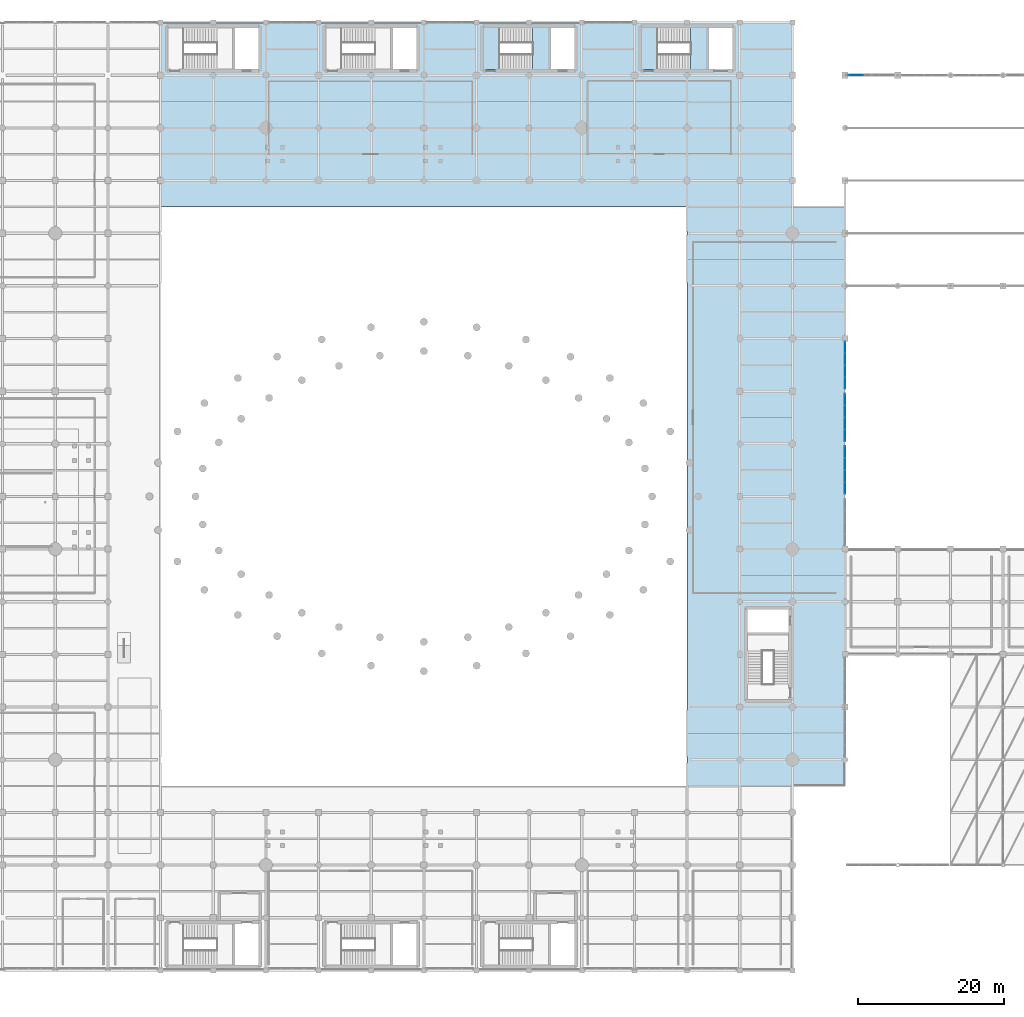
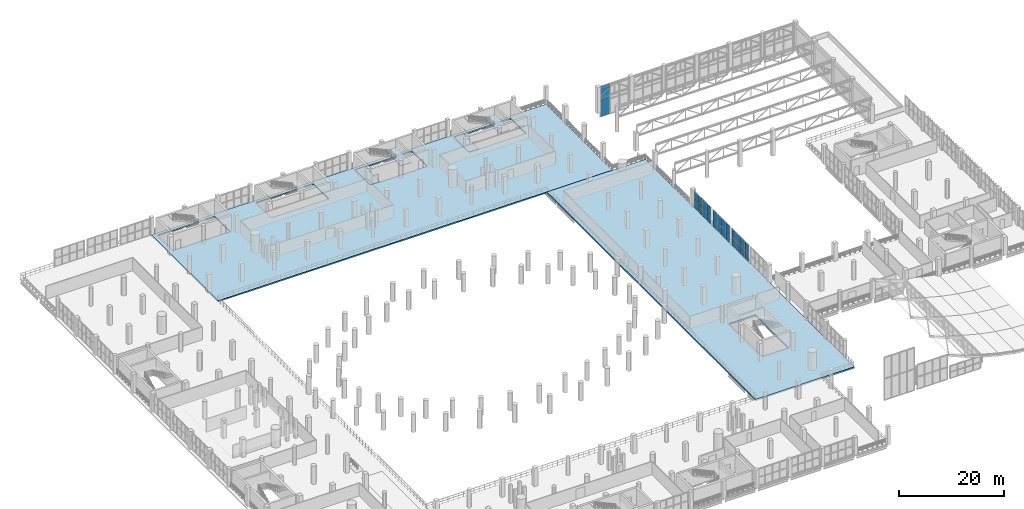
# One storey, part 124 of 153: 26 plates, 6 slabs, 6 elements without a shape of their own.
"""IFC4 building model written with IfcOpenShell, lengths in metres."""

from ifc_helpers import new_model, si_unit, direction, frame, origin, origin_2d, place, context, subcontext, project, spatial, polyline, rectangle, outline, extrude, material, layer, layer_set, type_object, element, aggregate, save


model = new_model("IFC4")

# Units and contexts
model_context = context("Model", 3, precision=1e-05, world=origin(), true_north=direction((0.0, 1.0)))
body_context = subcontext(model_context, "Body", "Model", "MODEL_VIEW")
ifc_project = project(units=[si_unit("LENGTHUNIT", "METRE"), si_unit("AREAUNIT", "SQUARE_METRE"), si_unit("VOLUMEUNIT", "CUBIC_METRE"), si_unit("PLANEANGLEUNIT", "RADIAN"), si_unit("MASSUNIT", "GRAM", prefix="KILO")], contexts=[model_context])

# Site, building, storey
site_placement = place(None, origin())
site = spatial("IfcSite", under=ifc_project, at=site_placement, CompositionType="ELEMENT")
building_placement = place(site_placement, origin())
building = spatial("IfcBuilding", under=site, at=building_placement, Name="Qandorah Velis Arena", CompositionType="ELEMENT")
storey_placement = place(building_placement, frame((0.0, 0.0, 5.39990234375)))
storey = spatial("IfcBuildingStorey", under=building, at=storey_placement, Name="L01", CompositionType="ELEMENT", Elevation=5.39990234375)

# Curtain wall, plates
ifc_material_1 = material(Name="Solar-control low-E double glazing", Category="glass")
curtain_wall_type_1 = type_object("IfcCurtainWallType", Name="ARC-CW-SYS15", PredefinedType="USERDEFINED", material=ifc_material_1)
curtain_wall_1_placement = place(storey_placement, origin())
curtain_wall_1 = element("IfcCurtainWall", 1, at=curtain_wall_1_placement, inside=storey, type_object=curtain_wall_type_1, Name="Unitised curtain wall L01-159", ObjectType="UNITISED CURTAIN WALL", PredefinedType="USERDEFINED")
ifc_layer_1 = layer(ifc_material_1, 0.02392578125)
ifc_layer_set_1 = layer_set([ifc_layer_1], Name="Solar-control low-E double glazing")
plate_type_1 = type_object("IfcPlateType", Name="ARC-CWP-GLZ24", PredefinedType="CURTAIN_PANEL", material=ifc_layer_set_1)
plate_1_placement = place(storey_placement, frame((123.902587890625, 122.39990234375, -1.25), z_axis=(0.0, 0.0, 1.0), x_axis=(1.0, 0.0, 0.0)))
plate_1 = element("IfcPlate", 2, at=plate_1_placement, type_object=plate_type_1, Name="CW15 panel 1.1", PredefinedType="CURTAIN_PANEL", context=body_context, shape_type="SweptSolid", body=[
    extrude(rectangle(XDim=2.0048828125, YDim=0.02392578125, at=origin_2d()), origin(), (0.0, 0.0, 1.0), 3.469970703125),
])
plate_2_placement = place(storey_placement, frame((123.902587890625, 122.39990234375, 2.26025390625), z_axis=(0.0, 0.0, 1.0), x_axis=(1.0, 0.0, 0.0)))
plate_2 = element("IfcPlate", 3, at=plate_2_placement, type_object=plate_type_1, Name="CW15 panel 1.2", PredefinedType="CURTAIN_PANEL", context=body_context, shape_type="SweptSolid", body=[
    extrude(rectangle(XDim=2.0048828125, YDim=0.02392578125, at=origin_2d()), origin(), (0.0, 0.0, 1.0), 3.469970703125),
])
aggregate(curtain_wall_1, [plate_1, plate_2])

curtain_wall_type_2 = type_object("IfcCurtainWallType", Name="ARC-CW-SYS12", PredefinedType="USERDEFINED", material=ifc_material_1)
curtain_wall_2_placement = place(storey_placement, origin())
curtain_wall_2 = element("IfcCurtainWall", 4, at=curtain_wall_2_placement, inside=storey, type_object=curtain_wall_type_2, Name="Unitised curtain wall L01-108", ObjectType="UNITISED CURTAIN WALL", PredefinedType="USERDEFINED")
ifc_layer_2 = layer(ifc_material_1, 0.028076171875)
ifc_layer_set_2 = layer_set([ifc_layer_2], Name="Solar-control low-E double glazing")
plate_type_2 = type_object("IfcPlateType", Name="ARC-CWP-GLZ28", PredefinedType="CURTAIN_PANEL", material=ifc_layer_set_2)
plate_3_placement = place(storey_placement, frame((122.39990234375, 80.3232421875, 0.045166015625), z_axis=(0.0, 0.0, 1.0), x_axis=(0.0, 1.0, 0.0)))
plate_3 = element("IfcPlate", 5, at=plate_3_placement, type_object=plate_type_2, Name="CW12 panel 1.1", PredefinedType="CURTAIN_PANEL", context=body_context, shape_type="SweptSolid", body=[
    extrude(rectangle(XDim=1.55615234375, YDim=0.028076171875, at=origin_2d()), origin(), (0.0, 0.0, 1.0), 1.8974609375),
])
plate_4_placement = place(storey_placement, frame((122.39990234375, 80.3232421875, 1.9775390625), z_axis=(0.0, 0.0, 1.0), x_axis=(0.0, 1.0, 0.0)))
plate_4 = element("IfcPlate", 6, at=plate_4_placement, type_object=plate_type_2, Name="CW12 panel 1.2", PredefinedType="CURTAIN_PANEL", context=body_context, shape_type="SweptSolid", body=[
    extrude(rectangle(XDim=1.55615234375, YDim=0.028076171875, at=origin_2d()), origin(), (0.0, 0.0, 1.0), 1.8974609375),
])
plate_5_placement = place(storey_placement, frame((122.39990234375, 81.92822265625, 0.045166015625), z_axis=(0.0, 0.0, 1.0), x_axis=(0.0, 1.0, 0.0)))
plate_5 = element("IfcPlate", 7, at=plate_5_placement, type_object=plate_type_2, Name="CW12 panel 2.1", PredefinedType="CURTAIN_PANEL", context=body_context, shape_type="SweptSolid", body=[
    extrude(rectangle(XDim=1.583740234375, YDim=0.028076171875, at=origin_2d()), origin(), (0.0, 0.0, 1.0), 1.8974609375),
])
plate_6_placement = place(storey_placement, frame((122.39990234375, 81.92822265625, 1.9775390625), z_axis=(0.0, 0.0, 1.0), x_axis=(0.0, 1.0, 0.0)))
plate_6 = element("IfcPlate", 8, at=plate_6_placement, type_object=plate_type_2, Name="CW12 panel 2.2", PredefinedType="CURTAIN_PANEL", context=body_context, shape_type="SweptSolid", body=[
    extrude(rectangle(XDim=1.583740234375, YDim=0.028076171875, at=origin_2d()), origin(), (0.0, 0.0, 1.0), 1.8974609375),
])
plate_7_placement = place(storey_placement, frame((122.39990234375, 83.546875, 0.045166015625), z_axis=(0.0, 0.0, 1.0), x_axis=(0.0, 1.0, 0.0)))
plate_7 = element("IfcPlate", 9, at=plate_7_placement, type_object=plate_type_2, Name="CW12 panel 3.1", PredefinedType="CURTAIN_PANEL", context=body_context, shape_type="SweptSolid", body=[
    extrude(rectangle(XDim=1.583740234375, YDim=0.028076171875, at=origin_2d()), origin(), (0.0, 0.0, 1.0), 1.8974609375),
])
plate_8_placement = place(storey_placement, frame((122.39990234375, 83.546875, 1.9775390625), z_axis=(0.0, 0.0, 1.0), x_axis=(0.0, 1.0, 0.0)))
plate_8 = element("IfcPlate", 10, at=plate_8_placement, type_object=plate_type_2, Name="CW12 panel 3.2", PredefinedType="CURTAIN_PANEL", context=body_context, shape_type="SweptSolid", body=[
    extrude(rectangle(XDim=1.583740234375, YDim=0.028076171875, at=origin_2d()), origin(), (0.0, 0.0, 1.0), 1.8974609375),
])
plate_9_placement = place(storey_placement, frame((122.39990234375, 85.15185546875, 0.045166015625), z_axis=(0.0, 0.0, 1.0), x_axis=(0.0, 1.0, 0.0)))
plate_9 = element("IfcPlate", 11, at=plate_9_placement, type_object=plate_type_2, Name="CW12 panel 4.1", PredefinedType="CURTAIN_PANEL", context=body_context, shape_type="SweptSolid", body=[
    extrude(rectangle(XDim=1.55615234375, YDim=0.028076171875, at=origin_2d()), origin(), (0.0, 0.0, 1.0), 1.8974609375),
])
plate_10_placement = place(storey_placement, frame((122.39990234375, 85.15185546875, 1.9775390625), z_axis=(0.0, 0.0, 1.0), x_axis=(0.0, 1.0, 0.0)))
plate_10 = element("IfcPlate", 12, at=plate_10_placement, type_object=plate_type_2, Name="CW12 panel 4.2", PredefinedType="CURTAIN_PANEL", context=body_context, shape_type="SweptSolid", body=[
    extrude(rectangle(XDim=1.55615234375, YDim=0.028076171875, at=origin_2d()), origin(), (0.0, 0.0, 1.0), 1.8974609375),
])
aggregate(curtain_wall_2, [plate_3, plate_4, plate_5, plate_6, plate_7, plate_8, plate_9, plate_10])

curtain_wall_type_3 = type_object("IfcCurtainWallType", Name="ARC-CW-SYS11", PredefinedType="USERDEFINED", material=ifc_material_1)
curtain_wall_3_placement = place(storey_placement, origin())
curtain_wall_3 = element("IfcCurtainWall", 13, at=curtain_wall_3_placement, inside=storey, type_object=curtain_wall_type_3, Name="Unitised curtain wall L01-107", ObjectType="UNITISED CURTAIN WALL", PredefinedType="USERDEFINED")
ifc_layer_3 = layer(ifc_material_1, 0.030029296875)
ifc_layer_set_3 = layer_set([ifc_layer_3], Name="Solar-control low-E double glazing")
plate_type_3 = type_object("IfcPlateType", Name="ARC-CWP-GLZ30", PredefinedType="CURTAIN_PANEL", material=ifc_layer_set_3)
plate_11_placement = place(storey_placement, frame((122.39990234375, 73.139892578125, 0.05029296875), z_axis=(0.0, 0.0, 1.0), x_axis=(0.0, 1.0, 0.0)))
plate_11 = element("IfcPlate", 14, at=plate_11_placement, type_object=plate_type_3, Name="CW11 panel 1.1", PredefinedType="CURTAIN_PANEL", context=body_context, shape_type="SweptSolid", body=[
    extrude(rectangle(XDim=1.580078125, YDim=0.030029296875, at=origin_2d()), origin(), (0.0, 0.0, 1.0), 1.889892578125),
])
plate_12_placement = place(storey_placement, frame((122.39990234375, 73.139892578125, 1.97998046875), z_axis=(0.0, 0.0, 1.0), x_axis=(0.0, 1.0, 0.0)))
plate_12 = element("IfcPlate", 15, at=plate_12_placement, type_object=plate_type_3, Name="CW11 panel 1.2", PredefinedType="CURTAIN_PANEL", context=body_context, shape_type="SweptSolid", body=[
    extrude(rectangle(XDim=1.580078125, YDim=0.030029296875, at=origin_2d()), origin(), (0.0, 0.0, 1.0), 1.889892578125),
])
plate_13_placement = place(storey_placement, frame((122.39990234375, 74.77490234375, 0.05029296875), z_axis=(0.0, 0.0, 1.0), x_axis=(0.0, 1.0, 0.0)))
plate_13 = element("IfcPlate", 16, at=plate_13_placement, type_object=plate_type_3, Name="CW11 panel 2.1", PredefinedType="CURTAIN_PANEL", context=body_context, shape_type="SweptSolid", body=[
    extrude(rectangle(XDim=1.610107421875, YDim=0.030029296875, at=origin_2d()), origin(), (0.0, 0.0, 1.0), 1.889892578125),
])
plate_14_placement = place(storey_placement, frame((122.39990234375, 74.77490234375, 1.97998046875), z_axis=(0.0, 0.0, 1.0), x_axis=(0.0, 1.0, 0.0)))
plate_14 = element("IfcPlate", 17, at=plate_14_placement, type_object=plate_type_3, Name="CW11 panel 2.2", PredefinedType="CURTAIN_PANEL", context=body_context, shape_type="SweptSolid", body=[
    extrude(rectangle(XDim=1.610107421875, YDim=0.030029296875, at=origin_2d()), origin(), (0.0, 0.0, 1.0), 1.889892578125),
])
plate_15_placement = place(storey_placement, frame((122.39990234375, 76.425048828125, 0.05029296875), z_axis=(0.0, 0.0, 1.0), x_axis=(0.0, 1.0, 0.0)))
plate_15 = element("IfcPlate", 18, at=plate_15_placement, type_object=plate_type_3, Name="CW11 panel 3.1", PredefinedType="CURTAIN_PANEL", context=body_context, shape_type="SweptSolid", body=[
    extrude(rectangle(XDim=1.610107421875, YDim=0.030029296875, at=origin_2d()), origin(), (0.0, 0.0, 1.0), 1.889892578125),
])
plate_16_placement = place(storey_placement, frame((122.39990234375, 76.425048828125, 1.97998046875), z_axis=(0.0, 0.0, 1.0), x_axis=(0.0, 1.0, 0.0)))
plate_16 = element("IfcPlate", 19, at=plate_16_placement, type_object=plate_type_3, Name="CW11 panel 3.2", PredefinedType="CURTAIN_PANEL", context=body_context, shape_type="SweptSolid", body=[
    extrude(rectangle(XDim=1.610107421875, YDim=0.030029296875, at=origin_2d()), origin(), (0.0, 0.0, 1.0), 1.889892578125),
])
plate_17_placement = place(storey_placement, frame((122.39990234375, 78.06005859375, 0.05029296875), z_axis=(0.0, 0.0, 1.0), x_axis=(0.0, 1.0, 0.0)))
plate_17 = element("IfcPlate", 20, at=plate_17_placement, type_object=plate_type_3, Name="CW11 panel 4.1", PredefinedType="CURTAIN_PANEL", context=body_context, shape_type="SweptSolid", body=[
    extrude(rectangle(XDim=1.580078125, YDim=0.030029296875, at=origin_2d()), origin(), (0.0, 0.0, 1.0), 1.889892578125),
])
plate_18_placement = place(storey_placement, frame((122.39990234375, 78.06005859375, 1.97998046875), z_axis=(0.0, 0.0, 1.0), x_axis=(0.0, 1.0, 0.0)))
plate_18 = element("IfcPlate", 21, at=plate_18_placement, type_object=plate_type_3, Name="CW11 panel 4.2", PredefinedType="CURTAIN_PANEL", context=body_context, shape_type="SweptSolid", body=[
    extrude(rectangle(XDim=1.580078125, YDim=0.030029296875, at=origin_2d()), origin(), (0.0, 0.0, 1.0), 1.889892578125),
])
aggregate(curtain_wall_3, [plate_11, plate_12, plate_13, plate_14, plate_15, plate_16, plate_17, plate_18])

curtain_wall_type_4 = type_object("IfcCurtainWallType", Name="ARC-CW-SYS10", PredefinedType="USERDEFINED", material=ifc_material_1)
curtain_wall_4_placement = place(storey_placement, origin())
curtain_wall_4 = element("IfcCurtainWall", 22, at=curtain_wall_4_placement, inside=storey, type_object=curtain_wall_type_4, Name="Unitised curtain wall L01-106", ObjectType="UNITISED CURTAIN WALL", PredefinedType="USERDEFINED")
ifc_layer_4 = layer(ifc_material_1, 0.035888671875)
ifc_layer_set_4 = layer_set([ifc_layer_4], Name="Solar-control low-E double glazing")
plate_type_4 = type_object("IfcPlateType", Name="ARC-CWP-GLZ36", PredefinedType="CURTAIN_PANEL", material=ifc_layer_set_4)
plate_19_placement = place(storey_placement, frame((122.39990234375, 65.941162109375, 0.05517578125), z_axis=(0.0, 0.0, 1.0), x_axis=(0.0, 1.0, 0.0)))
plate_19 = element("IfcPlate", 23, at=plate_19_placement, type_object=plate_type_4, Name="CW10 panel 1.1", PredefinedType="CURTAIN_PANEL", context=body_context, shape_type="SweptSolid", body=[
    extrude(rectangle(XDim=1.572509765625, YDim=0.035888671875, at=origin_2d()), origin(), (0.0, 0.0, 1.0), 1.882568359375),
])
plate_20_placement = place(storey_placement, frame((122.39990234375, 65.941162109375, 1.982421875), z_axis=(0.0, 0.0, 1.0), x_axis=(0.0, 1.0, 0.0)))
plate_20 = element("IfcPlate", 24, at=plate_20_placement, type_object=plate_type_4, Name="CW10 panel 1.2", PredefinedType="CURTAIN_PANEL", context=body_context, shape_type="SweptSolid", body=[
    extrude(rectangle(XDim=1.572509765625, YDim=0.035888671875, at=origin_2d()), origin(), (0.0, 0.0, 1.0), 1.882568359375),
])
plate_21_placement = place(storey_placement, frame((122.39990234375, 67.574951171875, 0.05517578125), z_axis=(0.0, 0.0, 1.0), x_axis=(0.0, 1.0, 0.0)))
plate_21 = element("IfcPlate", 25, at=plate_21_placement, type_object=plate_type_4, Name="CW10 panel 2.1", PredefinedType="CURTAIN_PANEL", context=body_context, shape_type="SweptSolid", body=[
    extrude(rectangle(XDim=1.60498046875, YDim=0.035888671875, at=origin_2d()), origin(), (0.0, 0.0, 1.0), 1.882568359375),
])
plate_22_placement = place(storey_placement, frame((122.39990234375, 67.574951171875, 1.982421875), z_axis=(0.0, 0.0, 1.0), x_axis=(0.0, 1.0, 0.0)))
plate_22 = element("IfcPlate", 26, at=plate_22_placement, type_object=plate_type_4, Name="CW10 panel 2.2", PredefinedType="CURTAIN_PANEL", context=body_context, shape_type="SweptSolid", body=[
    extrude(rectangle(XDim=1.60498046875, YDim=0.035888671875, at=origin_2d()), origin(), (0.0, 0.0, 1.0), 1.882568359375),
])
plate_23_placement = place(storey_placement, frame((122.39990234375, 69.22509765625, 0.05517578125), z_axis=(0.0, 0.0, 1.0), x_axis=(0.0, 1.0, 0.0)))
plate_23 = element("IfcPlate", 27, at=plate_23_placement, type_object=plate_type_4, Name="CW10 panel 3.1", PredefinedType="CURTAIN_PANEL", context=body_context, shape_type="SweptSolid", body=[
    extrude(rectangle(XDim=1.60498046875, YDim=0.035888671875, at=origin_2d()), origin(), (0.0, 0.0, 1.0), 1.882568359375),
])
plate_24_placement = place(storey_placement, frame((122.39990234375, 69.22509765625, 1.982421875), z_axis=(0.0, 0.0, 1.0), x_axis=(0.0, 1.0, 0.0)))
plate_24 = element("IfcPlate", 28, at=plate_24_placement, type_object=plate_type_4, Name="CW10 panel 3.2", PredefinedType="CURTAIN_PANEL", context=body_context, shape_type="SweptSolid", body=[
    extrude(rectangle(XDim=1.60498046875, YDim=0.035888671875, at=origin_2d()), origin(), (0.0, 0.0, 1.0), 1.882568359375),
])
plate_25_placement = place(storey_placement, frame((122.39990234375, 70.858642578125, 0.05517578125), z_axis=(0.0, 0.0, 1.0), x_axis=(0.0, 1.0, 0.0)))
plate_25 = element("IfcPlate", 29, at=plate_25_placement, type_object=plate_type_4, Name="CW10 panel 4.1", PredefinedType="CURTAIN_PANEL", context=body_context, shape_type="SweptSolid", body=[
    extrude(rectangle(XDim=1.572509765625, YDim=0.035888671875, at=origin_2d()), origin(), (0.0, 0.0, 1.0), 1.882568359375),
])
plate_26_placement = place(storey_placement, frame((122.39990234375, 70.858642578125, 1.982421875), z_axis=(0.0, 0.0, 1.0), x_axis=(0.0, 1.0, 0.0)))
plate_26 = element("IfcPlate", 30, at=plate_26_placement, type_object=plate_type_4, Name="CW10 panel 4.2", PredefinedType="CURTAIN_PANEL", context=body_context, shape_type="SweptSolid", body=[
    extrude(rectangle(XDim=1.572509765625, YDim=0.035888671875, at=origin_2d()), origin(), (0.0, 0.0, 1.0), 1.882568359375),
])
aggregate(curtain_wall_4, [plate_19, plate_20, plate_21, plate_22, plate_23, plate_24, plate_25, plate_26])

# Slabs
ifc_material_2 = material(Name="Concrete C40/50", Category="concrete")
ifc_layer_5 = layer(ifc_material_2, 0.300048828125)
ifc_layer_set_5 = layer_set([ifc_layer_5], Name="Concrete C40/50")
slab_type_1 = type_object("IfcSlabType", Name="STR-SLB-FL300", PredefinedType="FLOOR", material=ifc_layer_set_5)
slab_1_placement = place(storey_placement, frame((0.0, 0.0, -0.2998046875)))
element("IfcSlab", 31, at=slab_1_placement, inside=storey, type_object=slab_type_1, Name="Structural floor slab L01_NORTH_CLUB", PredefinedType="FLOOR", context=body_context, shape_type="SweptSolid", body=[
    extrude(outline(polyline([(115.199951171875, 104.39990234375), (28.800048828125, 104.39990234375), (28.800048828125, 129.60009765625), (115.199951171875, 129.60009765625), (115.199951171875, 104.39990234375)]), holes=[polyline([(29.7451171875, 123.14501953125), (31.955078125, 123.14501953125), (42.2548828125, 123.14501953125), (42.2548828125, 128.955078125), (31.955078125, 128.955078125), (31.955078125, 128.955078125), (29.7451171875, 128.955078125), (29.7451171875, 128.955078125), (29.7451171875, 123.14501953125)]), polyline([(72.945068359375, 128.955078125), (72.945068359375, 123.14501953125), (75.155029296875, 123.14501953125), (85.455078125, 123.14501953125), (85.455078125, 128.955078125), (75.155029296875, 128.955078125), (75.155029296875, 128.955078125), (72.945068359375, 128.955078125), (72.945068359375, 128.955078125)]), polyline([(51.344970703125, 128.955078125), (51.344970703125, 123.14501953125), (51.344970703125, 123.14501953125), (53.554931640625, 123.14501953125), (63.85498046875, 123.14501953125), (63.85498046875, 128.955078125), (53.554931640625, 128.955078125), (53.554931640625, 128.955078125), (51.344970703125, 128.955078125)]), polyline([(96.7548828125, 128.955078125), (94.544921875, 128.955078125), (94.544921875, 128.955078125), (94.544921875, 123.14501953125), (96.7548828125, 123.14501953125), (107.054931640625, 123.14501953125), (107.054931640625, 128.955078125), (96.7548828125, 128.955078125), (96.7548828125, 128.955078125)])]), origin(), (0.0, 0.0, 1.0), 0.2998046875),
])
ifc_layer_6 = layer(ifc_material_2, 0.360107421875)
ifc_layer_set_6 = layer_set([ifc_layer_6], Name="Concrete C40/50")
slab_type_2 = type_object("IfcSlabType", Name="STR-SLB-FL360", PredefinedType="FLOOR", material=ifc_layer_set_6)
slab_2_placement = place(storey_placement, frame((0.0, 0.0, -0.35986328125)))
element("IfcSlab", 32, at=slab_2_placement, inside=storey, type_object=slab_type_2, Name="Structural floor slab L01_EAST_CLUB", PredefinedType="FLOOR", context=body_context, shape_type="SweptSolid", body=[
    extrude(outline(polyline([(100.800048828125, 104.39990234375), (122.39990234375, 104.39990234375), (122.39990234375, 25.199951171875), (100.800048828125, 25.199951171875), (100.800048828125, 104.39990234375)]), holes=[polyline([(108.945068359375, 36.945068359375), (114.7548828125, 36.945068359375), (114.7548828125, 36.945068359375), (114.7548828125, 49.455078125), (108.945068359375, 49.455078125), (108.945068359375, 39.155029296875), (108.945068359375, 36.945068359375)])]), origin(), (0.0, 0.0, 1.0), 0.35986328125),
])
ifc_layer_7 = layer(ifc_material_2, 0.219970703125)
ifc_layer_set_7 = layer_set([ifc_layer_7], Name="Concrete C40/50")
slab_type_3 = type_object("IfcSlabType", Name="STR-SLB-LND220", PredefinedType="LANDING", material=ifc_layer_set_7)
slab_3_placement = place(storey_placement, frame((0.0, 0.0, -0.219970703125)))
element("IfcSlab", 33, at=slab_3_placement, inside=storey, type_object=slab_type_3, Name="Stair ST4 storey landing slab L01", PredefinedType="LANDING", context=body_context, shape_type="SweptSolid", body=[
    extrude(outline(polyline([(72.949951171875, 123.14990234375), (75.14990234375, 123.14990234375), (75.14990234375, 128.949951171875), (72.949951171875, 128.949951171875), (72.949951171875, 123.14990234375)])), origin(), (0.0, 0.0, 1.0), 0.219970703125),
])

# Stair, slab
stair_type = type_object("IfcStairType", Name="ARC-ST-CORE42", PredefinedType="HALF_TURN_STAIR", material=ifc_material_2)
stair_1_placement = place(storey_placement, origin())
stair_1 = element("IfcStair", 34, at=stair_1_placement, inside=storey, type_object=stair_type, Name="Protected exit stair ST4 (L01)", PredefinedType="HALF_TURN_STAIR")
slab_4_placement = place(storey_placement, frame((0.0, 0.0, 1.880126953125)))
slab_4 = element("IfcSlab", 35, at=slab_4_placement, type_object=slab_type_3, Name="ST4 landing 1", PredefinedType="LANDING", context=body_context, shape_type="SweptSolid", body=[
    extrude(outline(polyline([(79.68603515625, 123.14990234375), (81.93603515625, 123.14990234375), (81.93603515625, 128.949951171875), (79.68603515625, 128.949951171875), (79.68603515625, 123.14990234375)])), origin(), (0.0, 0.0, 1.0), 0.219970703125),
])
aggregate(stair_1, [slab_4])

# Slab
slab_5_placement = place(storey_placement, frame((0.0, 0.0, -0.219970703125)))
element("IfcSlab", 36, at=slab_5_placement, inside=storey, type_object=slab_type_3, Name="Stair ST12 storey landing slab L01", PredefinedType="LANDING", context=body_context, shape_type="SweptSolid", body=[
    extrude(outline(polyline([(94.550048828125, 123.14990234375), (96.75, 123.14990234375), (96.75, 128.949951171875), (94.550048828125, 128.949951171875), (94.550048828125, 123.14990234375)])), origin(), (0.0, 0.0, 1.0), 0.219970703125),
])

# Stair, slab
stair_2_placement = place(storey_placement, origin())
stair_2 = element("IfcStair", 37, at=stair_2_placement, inside=storey, type_object=stair_type, Name="Protected exit stair ST12 (L01)", PredefinedType="HALF_TURN_STAIR")
slab_6_placement = place(storey_placement, frame((0.0, 0.0, 1.880126953125)))
slab_6 = element("IfcSlab", 38, at=slab_6_placement, type_object=slab_type_3, Name="ST12 landing 1", PredefinedType="LANDING", context=body_context, shape_type="SweptSolid", body=[
    extrude(outline(polyline([(101.285888671875, 123.14990234375), (103.535888671875, 123.14990234375), (103.535888671875, 128.949951171875), (101.285888671875, 128.949951171875), (101.285888671875, 123.14990234375)])), origin(), (0.0, 0.0, 1.0), 0.219970703125),
])
aggregate(stair_2, [slab_6])

save(model, "model.ifc")
